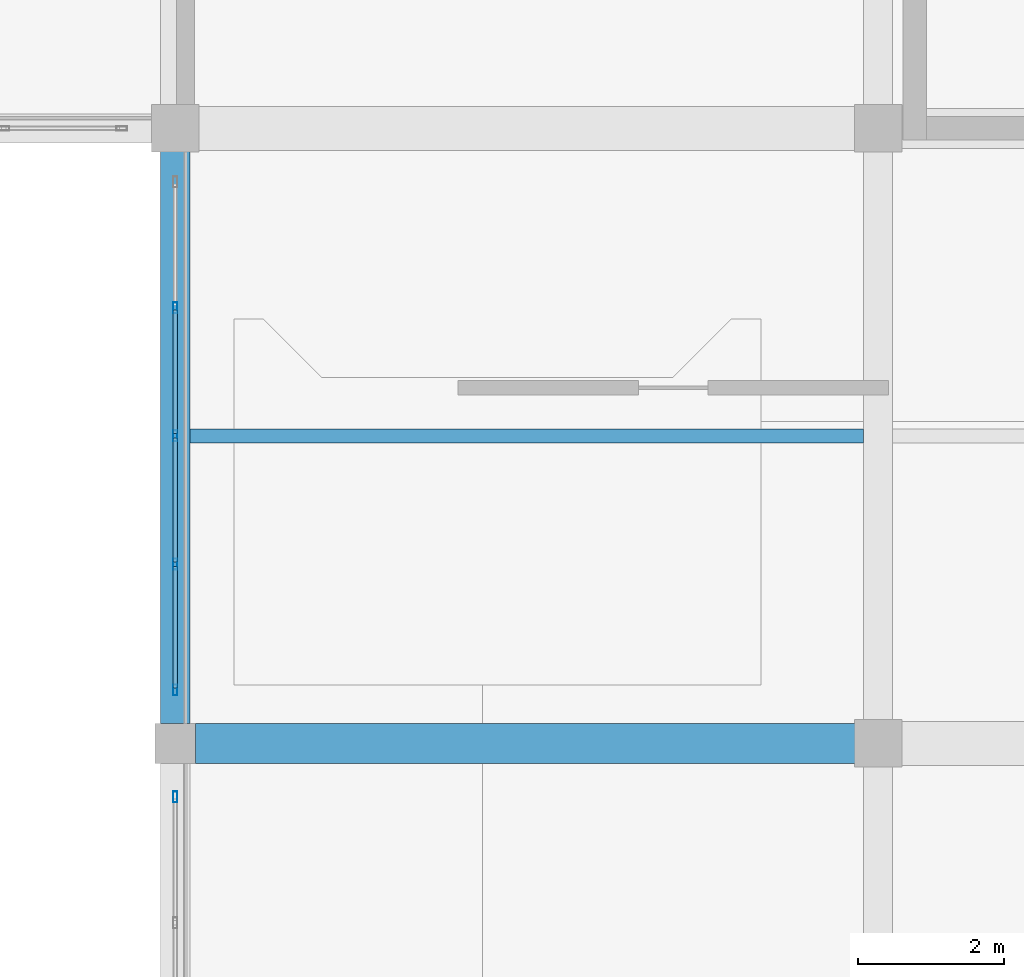
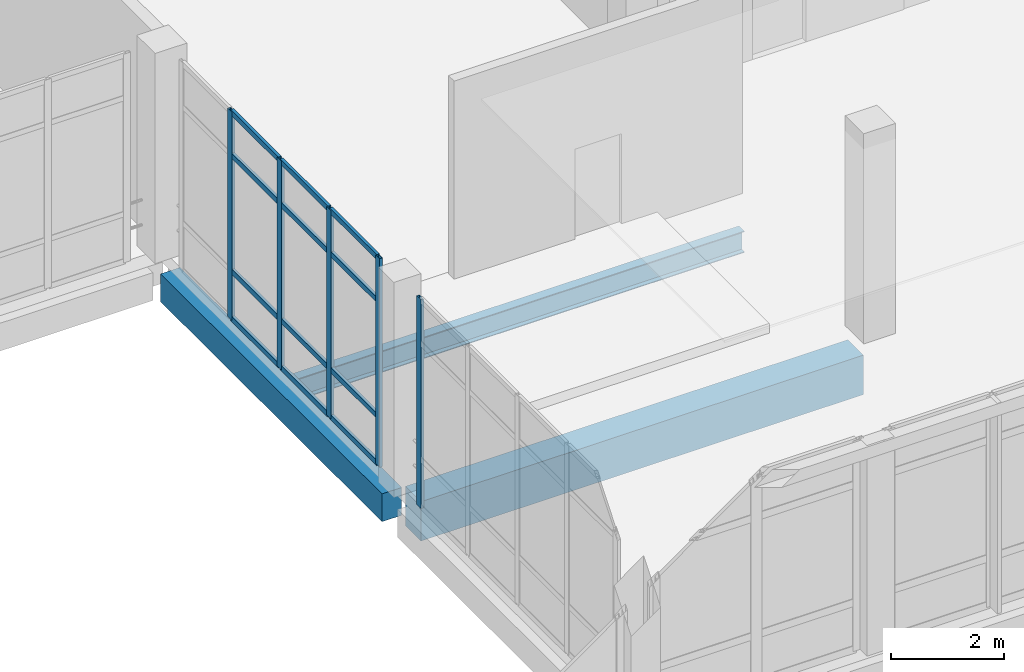
# One storey, part 31 of 88: 17 members, 3 beams, 2 elements without a shape of their own.
"""IFC4 building model written with IfcOpenShell, lengths in metres."""

from ifc_helpers import new_model, si_unit, direction, frame, origin, origin_2d, place, context, subcontext, project, spatial, rectangle, hollow_rectangle, i_section, extrude, material, layer, layer_set, material_profile, profile_set, type_object, element, aggregate, save


model = new_model("IFC4")

# Units and contexts
model_context = context("Model", 3, precision=1e-05, world=origin(), true_north=direction((0.0, 1.0)))
body_context = subcontext(model_context, "Body", "Model", "MODEL_VIEW")
ifc_project = project(units=[si_unit("LENGTHUNIT", "METRE"), si_unit("AREAUNIT", "SQUARE_METRE"), si_unit("VOLUMEUNIT", "CUBIC_METRE"), si_unit("PLANEANGLEUNIT", "RADIAN"), si_unit("MASSUNIT", "GRAM", prefix="KILO")], contexts=[model_context])

# Site, building, storey
site_placement = place(None, origin())
site = spatial("IfcSite", under=ifc_project, at=site_placement, CompositionType="ELEMENT")
building_placement = place(site_placement, origin())
building = spatial("IfcBuilding", under=site, at=building_placement, Name="Lornevale Opera House", CompositionType="ELEMENT")
storey_placement = place(building_placement, frame((0.0, 0.0, 10.199951171875)))
storey = spatial("IfcBuildingStorey", under=building, at=storey_placement, Name="L03", CompositionType="ELEMENT", Elevation=10.199951171875)

# Beams
ifc_material_1 = material(Name="Concrete 35 MPa (CSA A23.1 N)", Category="concrete")
ifc_material_profile_1 = material_profile(ifc_material_1, rectangle(XDim=0.550048828125, YDim=0.85009765625, at=origin_2d()), Name="RC550x850")
ifc_profile_set_1 = profile_set([ifc_material_profile_1], Name="Concrete 35 MPa (CSA A23.1 N)")
beam_type_1 = type_object("IfcBeamType", Name="Concrete Primary Girder 550x850", PredefinedType="USERDEFINED", material=ifc_profile_set_1)
beam_1_placement = place(storey_placement, frame((96.27490234375, 25.199951171875, -0.704833984375), z_axis=(1.0, 0.0, 0.0), x_axis=(0.0, 1.0, 0.0)))
element("IfcBeam", 1, at=beam_1_placement, inside=storey, type_object=beam_type_1, Name="Concrete Primary Girder 550x850 2111", ObjectType="GIRDER", PredefinedType="USERDEFINED", context=body_context, shape_type="SweptSolid", body=[
    extrude(rectangle(XDim=0.550048828125, YDim=0.85009765625, at=origin_2d()), origin(), (0.0, 0.0, 1.0), 9.025146484375),
])
ifc_material_profile_2 = material_profile(ifc_material_1, rectangle(XDim=0.39990234375, YDim=0.60009765625, at=origin_2d()), Name="RC400x600")
ifc_profile_set_2 = profile_set([ifc_material_profile_2], Name="Concrete 35 MPa (CSA A23.1 N)")
beam_type_2 = type_object("IfcBeamType", Name="Concrete Spandrel Beam 400x600", PredefinedType="SPANDREL", material=ifc_profile_set_2)
beam_2_placement = place(storey_placement, frame((96.0, 25.47509765625, -0.579833984375), z_axis=(0.0, 1.0, 0.0), x_axis=(-1.0, 0.0, 0.0)))
element("IfcBeam", 2, at=beam_2_placement, inside=storey, type_object=beam_type_2, Name="Concrete Spandrel Beam 400x600 2302", PredefinedType="SPANDREL", context=body_context, shape_type="SweptSolid", body=[
    extrude(rectangle(XDim=0.39990234375, YDim=0.60009765625, at=origin_2d()), origin(), (0.0, 0.0, 1.0), 7.824951171875),
])

# Curtain wall, members
ifc_material_2 = material(Name="Anodized Oxide-Green Aluminium Framing", Category="aluminium")
ifc_layer = layer(ifc_material_2, 0.14990234375)
ifc_layer_set = layer_set([ifc_layer], Name="Anodized Oxide-Green Aluminium Framing")
curtain_wall_type = type_object("IfcCurtainWallType", Name="North-Light Clerestory Curtain Wall M1600", PredefinedType="NOTDEFINED", material=ifc_layer_set)
curtain_wall_1_placement = place(storey_placement, origin())
curtain_wall_1 = element("IfcCurtainWall", 3, at=curtain_wall_1_placement, inside=storey, type_object=curtain_wall_type, Name="North-Light Clerestory Curtain Wall M1600 CW-179", PredefinedType="NOTDEFINED")
ifc_material_profile_3 = material_profile(ifc_material_2, hollow_rectangle(XDim=0.06005859375, YDim=0.14990234375, WallThickness=0.00390625, at=origin_2d()), Name="ALU60x150x4")
ifc_profile_set_3 = profile_set([ifc_material_profile_3], Name="Anodized Oxide-Green Aluminium Framing")
member_type_1 = type_object("IfcMemberType", Name="Curtain Wall Mullion 60x150", PredefinedType="MULLION", material=ifc_profile_set_3)
member_1_placement = place(storey_placement, frame((96.0, 31.14990234375, 0.0), z_axis=(0.0, 0.0, 1.0), x_axis=(1.0, 0.0, 0.0)))
member_1 = element("IfcMember", 4, at=member_1_placement, type_object=member_type_1, Name="Curtain Wall Mullion 60x150 CW3740", PredefinedType="MULLION", context=body_context, shape_type="SweptSolid", body=[
    extrude(hollow_rectangle(XDim=0.06005859375, YDim=0.14990234375, WallThickness=0.00390625, at=origin_2d()), origin(), (0.0, 0.0, 1.0), 4.5),
])
member_2_placement = place(storey_placement, frame((96.0, 29.39990234375, 0.0), z_axis=(0.0, 0.0, 1.0), x_axis=(1.0, 0.0, 0.0)))
member_2 = element("IfcMember", 5, at=member_2_placement, type_object=member_type_1, Name="Curtain Wall Mullion 60x150 CW3741", PredefinedType="MULLION", context=body_context, shape_type="SweptSolid", body=[
    extrude(hollow_rectangle(XDim=0.06005859375, YDim=0.14990234375, WallThickness=0.00390625, at=origin_2d()), origin(), (0.0, 0.0, 1.0), 4.5),
])
member_3_placement = place(storey_placement, frame((96.0, 27.64990234375, 0.0), z_axis=(0.0, 0.0, 1.0), x_axis=(1.0, 0.0, 0.0)))
member_3 = element("IfcMember", 6, at=member_3_placement, type_object=member_type_1, Name="Curtain Wall Mullion 60x150 CW3742", PredefinedType="MULLION", context=body_context, shape_type="SweptSolid", body=[
    extrude(hollow_rectangle(XDim=0.06005859375, YDim=0.14990234375, WallThickness=0.00390625, at=origin_2d()), origin(), (0.0, 0.0, 1.0), 4.5),
])
member_4_placement = place(storey_placement, frame((96.0, 25.929931640625, 0.0), z_axis=(0.0, 0.0, 1.0), x_axis=(1.0, 0.0, 0.0)))
member_4 = element("IfcMember", 7, at=member_4_placement, type_object=member_type_1, Name="Curtain Wall Mullion 60x150 CW3743", PredefinedType="MULLION", context=body_context, shape_type="SweptSolid", body=[
    extrude(hollow_rectangle(XDim=0.06005859375, YDim=0.14990234375, WallThickness=0.00390625, at=origin_2d()), origin(), (0.0, 0.0, 1.0), 4.5),
])

# Curtain wall, member
curtain_wall_2_placement = place(storey_placement, origin())
curtain_wall_2 = element("IfcCurtainWall", 8, at=curtain_wall_2_placement, inside=storey, type_object=curtain_wall_type, Name="North-Light Clerestory Curtain Wall M1600 CW-180", PredefinedType="NOTDEFINED")
member_5_placement = place(storey_placement, frame((96.0, 24.469970703125, 0.0), z_axis=(0.0, 0.0, 1.0), x_axis=(1.0, 0.0, 0.0)))
member_5 = element("IfcMember", 9, at=member_5_placement, type_object=member_type_1, Name="Curtain Wall Mullion 60x150 CW3772", PredefinedType="MULLION", context=body_context, shape_type="SweptSolid", body=[
    extrude(hollow_rectangle(XDim=0.06005859375, YDim=0.14990234375, WallThickness=0.00390625, at=origin_2d()), origin(), (0.0, 0.0, 1.0), 4.5),
])
aggregate(curtain_wall_2, [member_5])

# Member
ifc_material_profile_4 = material_profile(ifc_material_2, hollow_rectangle(XDim=0.06005859375, YDim=0.114990234375, WallThickness=0.00390625, at=origin_2d()), Name="ALU60x115x4")
ifc_profile_set_4 = profile_set([ifc_material_profile_4], Name="Anodized Oxide-Green Aluminium Framing")
member_type_2 = type_object("IfcMemberType", Name="Curtain Wall Transom 60x115", PredefinedType="USERDEFINED", material=ifc_profile_set_4)
member_6_placement = place(storey_placement, frame((96.0, 31.1201171875, 0.030029296875), z_axis=(0.0, -1.0, 0.0), x_axis=(1.0, 0.0, 0.0)))
member_6 = element("IfcMember", 10, at=member_6_placement, type_object=member_type_2, Name="Curtain Wall Transom 60x115 CW3751", ObjectType="TRANSOM", PredefinedType="USERDEFINED", context=body_context, shape_type="SweptSolid", body=[
    extrude(hollow_rectangle(XDim=0.06005859375, YDim=0.114990234375, WallThickness=0.00390625, at=origin_2d()), origin(), (0.0, 0.0, 1.0), 1.690185546875),
])

member_7_placement = place(storey_placement, frame((96.0, 31.1201171875, 1.050048828125), z_axis=(0.0, -1.0, 0.0), x_axis=(1.0, 0.0, 0.0)))
member_7 = element("IfcMember", 11, at=member_7_placement, type_object=member_type_2, Name="Curtain Wall Transom 60x115 CW3752", ObjectType="TRANSOM", PredefinedType="USERDEFINED", context=body_context, shape_type="SweptSolid", body=[
    extrude(hollow_rectangle(XDim=0.06005859375, YDim=0.114990234375, WallThickness=0.00390625, at=origin_2d()), origin(), (0.0, 0.0, 1.0), 1.690185546875),
])

member_8_placement = place(storey_placement, frame((96.0, 31.1201171875, 3.550048828125), z_axis=(0.0, -1.0, 0.0), x_axis=(1.0, 0.0, 0.0)))
member_8 = element("IfcMember", 12, at=member_8_placement, type_object=member_type_2, Name="Curtain Wall Transom 60x115 CW3753", ObjectType="TRANSOM", PredefinedType="USERDEFINED", context=body_context, shape_type="SweptSolid", body=[
    extrude(hollow_rectangle(XDim=0.06005859375, YDim=0.114990234375, WallThickness=0.00390625, at=origin_2d()), origin(), (0.0, 0.0, 1.0), 1.690185546875),
])

member_9_placement = place(storey_placement, frame((96.0, 31.1201171875, 4.469970703125), z_axis=(0.0, -1.0, 0.0), x_axis=(1.0, 0.0, 0.0)))
member_9 = element("IfcMember", 13, at=member_9_placement, type_object=member_type_2, Name="Curtain Wall Transom 60x115 CW3754", ObjectType="TRANSOM", PredefinedType="USERDEFINED", context=body_context, shape_type="SweptSolid", body=[
    extrude(hollow_rectangle(XDim=0.06005859375, YDim=0.114990234375, WallThickness=0.00390625, at=origin_2d()), origin(), (0.0, 0.0, 1.0), 1.690185546875),
])

member_10_placement = place(storey_placement, frame((96.0, 29.3701171875, 0.030029296875), z_axis=(0.0, -1.0, 0.0), x_axis=(1.0, 0.0, 0.0)))
member_10 = element("IfcMember", 14, at=member_10_placement, type_object=member_type_2, Name="Curtain Wall Transom 60x115 CW3758", ObjectType="TRANSOM", PredefinedType="USERDEFINED", context=body_context, shape_type="SweptSolid", body=[
    extrude(hollow_rectangle(XDim=0.06005859375, YDim=0.114990234375, WallThickness=0.00390625, at=origin_2d()), origin(), (0.0, 0.0, 1.0), 1.690185546875),
])

member_11_placement = place(storey_placement, frame((96.0, 29.3701171875, 1.050048828125), z_axis=(0.0, -1.0, 0.0), x_axis=(1.0, 0.0, 0.0)))
member_11 = element("IfcMember", 15, at=member_11_placement, type_object=member_type_2, Name="Curtain Wall Transom 60x115 CW3759", ObjectType="TRANSOM", PredefinedType="USERDEFINED", context=body_context, shape_type="SweptSolid", body=[
    extrude(hollow_rectangle(XDim=0.06005859375, YDim=0.114990234375, WallThickness=0.00390625, at=origin_2d()), origin(), (0.0, 0.0, 1.0), 1.690185546875),
])

member_12_placement = place(storey_placement, frame((96.0, 29.3701171875, 3.550048828125), z_axis=(0.0, -1.0, 0.0), x_axis=(1.0, 0.0, 0.0)))
member_12 = element("IfcMember", 16, at=member_12_placement, type_object=member_type_2, Name="Curtain Wall Transom 60x115 CW3760", ObjectType="TRANSOM", PredefinedType="USERDEFINED", context=body_context, shape_type="SweptSolid", body=[
    extrude(hollow_rectangle(XDim=0.06005859375, YDim=0.114990234375, WallThickness=0.00390625, at=origin_2d()), origin(), (0.0, 0.0, 1.0), 1.690185546875),
])

member_13_placement = place(storey_placement, frame((96.0, 29.3701171875, 4.469970703125), z_axis=(0.0, -1.0, 0.0), x_axis=(1.0, 0.0, 0.0)))
member_13 = element("IfcMember", 17, at=member_13_placement, type_object=member_type_2, Name="Curtain Wall Transom 60x115 CW3761", ObjectType="TRANSOM", PredefinedType="USERDEFINED", context=body_context, shape_type="SweptSolid", body=[
    extrude(hollow_rectangle(XDim=0.06005859375, YDim=0.114990234375, WallThickness=0.00390625, at=origin_2d()), origin(), (0.0, 0.0, 1.0), 1.690185546875),
])

member_14_placement = place(storey_placement, frame((96.0, 27.6201171875, 0.030029296875), z_axis=(0.0, -1.0, 0.0), x_axis=(1.0, 0.0, 0.0)))
member_14 = element("IfcMember", 18, at=member_14_placement, type_object=member_type_2, Name="Curtain Wall Transom 60x115 CW3765", ObjectType="TRANSOM", PredefinedType="USERDEFINED", context=body_context, shape_type="SweptSolid", body=[
    extrude(hollow_rectangle(XDim=0.06005859375, YDim=0.114990234375, WallThickness=0.00390625, at=origin_2d()), origin(), (0.0, 0.0, 1.0), 1.66015625),
])

member_15_placement = place(storey_placement, frame((96.0, 27.6201171875, 1.050048828125), z_axis=(0.0, -1.0, 0.0), x_axis=(1.0, 0.0, 0.0)))
member_15 = element("IfcMember", 19, at=member_15_placement, type_object=member_type_2, Name="Curtain Wall Transom 60x115 CW3766", ObjectType="TRANSOM", PredefinedType="USERDEFINED", context=body_context, shape_type="SweptSolid", body=[
    extrude(hollow_rectangle(XDim=0.06005859375, YDim=0.114990234375, WallThickness=0.00390625, at=origin_2d()), origin(), (0.0, 0.0, 1.0), 1.66015625),
])

member_16_placement = place(storey_placement, frame((96.0, 27.6201171875, 3.550048828125), z_axis=(0.0, -1.0, 0.0), x_axis=(1.0, 0.0, 0.0)))
member_16 = element("IfcMember", 20, at=member_16_placement, type_object=member_type_2, Name="Curtain Wall Transom 60x115 CW3767", ObjectType="TRANSOM", PredefinedType="USERDEFINED", context=body_context, shape_type="SweptSolid", body=[
    extrude(hollow_rectangle(XDim=0.06005859375, YDim=0.114990234375, WallThickness=0.00390625, at=origin_2d()), origin(), (0.0, 0.0, 1.0), 1.66015625),
])

member_17_placement = place(storey_placement, frame((96.0, 27.6201171875, 4.469970703125), z_axis=(0.0, -1.0, 0.0), x_axis=(1.0, 0.0, 0.0)))
member_17 = element("IfcMember", 21, at=member_17_placement, type_object=member_type_2, Name="Curtain Wall Transom 60x115 CW3768", ObjectType="TRANSOM", PredefinedType="USERDEFINED", context=body_context, shape_type="SweptSolid", body=[
    extrude(hollow_rectangle(XDim=0.06005859375, YDim=0.114990234375, WallThickness=0.00390625, at=origin_2d()), origin(), (0.0, 0.0, 1.0), 1.66015625),
])

aggregate(curtain_wall_1, [member_1, member_2, member_3, member_4, member_6, member_7, member_8, member_9, member_10, member_11, member_12, member_13, member_14, member_15, member_16, member_17])

# Beam
ifc_material_3 = material(Name="Structural Steel CSA G40.21 Grade 350W (350 MPa)", Category="steel")
ifc_material_profile_5 = material_profile(ifc_material_3, i_section(OverallWidth=0.19189453125, OverallDepth=0.462890625, WebThickness=0.010498046875, FlangeThickness=0.017578125, at=origin_2d()), Name="W460x89")
ifc_profile_set_5 = profile_set([ifc_material_profile_5], Name="Structural Steel CSA G40.21 Grade 350W (350 MPa)")
beam_type_3 = type_object("IfcBeamType", Name="Steel Floor Joist W460x89", PredefinedType="JOIST", material=ifc_profile_set_5)
beam_3_placement = place(storey_placement, frame((96.199951171875, 29.39990234375, -0.5263671875), z_axis=(1.0, 0.0, 0.0), x_axis=(0.0, 1.0, 0.0)))
element("IfcBeam", 22, at=beam_3_placement, inside=storey, type_object=beam_type_3, Name="Steel Floor Joist W460x89 2417", PredefinedType="JOIST", context=body_context, shape_type="SweptSolid", body=[
    extrude(i_section(OverallWidth=0.19189453125, OverallDepth=0.462890625, WebThickness=0.010498046875, FlangeThickness=0.017578125, at=origin_2d()), origin(), (0.0, 0.0, 1.0), 9.199951171875),
])

save(model, "model.ifc")
